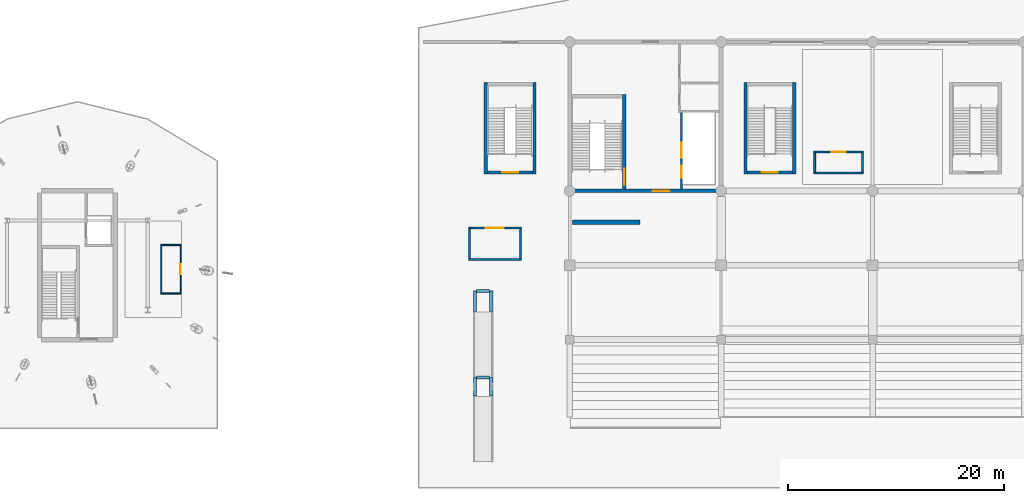
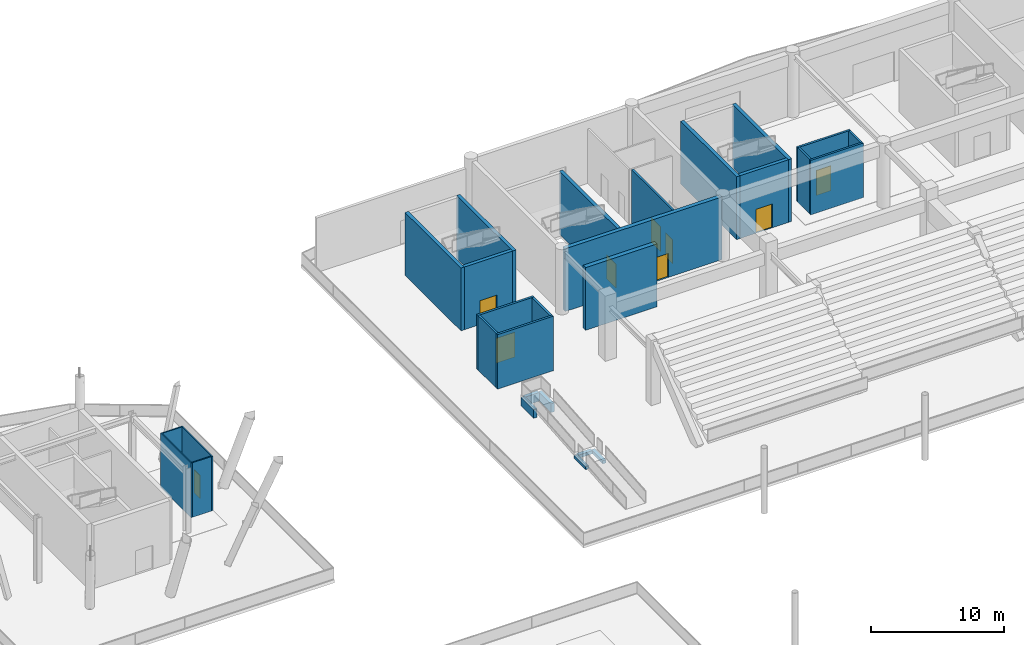
# One storey, part 48 of 73: 28 walls, 9 doors, 9 openings.
"""IFC4 building model written with IfcOpenShell, lengths in metres."""

from ifc_helpers import new_model, si_unit, direction, frame, frame_2d, origin, place, context, subcontext, project, spatial, rectangle, extrude, material, layer, layer_set, type_object, element, fill, save


model = new_model("IFC4")

# Units and contexts
model_context = context("Model", 3, precision=1e-05, world=origin(), true_north=direction((0.0, 1.0)))
body_context = subcontext(model_context, "Body", "Model", "MODEL_VIEW")
ifc_project = project(units=[si_unit("LENGTHUNIT", "METRE"), si_unit("AREAUNIT", "SQUARE_METRE"), si_unit("VOLUMEUNIT", "CUBIC_METRE"), si_unit("PLANEANGLEUNIT", "RADIAN"), si_unit("MASSUNIT", "GRAM", prefix="KILO")], contexts=[model_context])

# Site, building, storey
site_placement = place(None, origin())
site = spatial("IfcSite", under=ifc_project, at=site_placement, CompositionType="ELEMENT")
building_placement = place(site_placement, origin())
building = spatial("IfcBuilding", under=site, at=building_placement, Name="Linyun Crest Stadium", CompositionType="ELEMENT")
storey_placement = place(building_placement, origin())
storey = spatial("IfcBuildingStorey", under=building, at=storey_placement, Name="L01", CompositionType="ELEMENT", Elevation=0.0)

# Wall, opening, door
ifc_material_1 = material(Name="Concrete C50", Category="concrete")
ifc_layer_1 = layer(ifc_material_1, 0.35009765625)
ifc_layer_set_1 = layer_set([ifc_layer_1], Name="Concrete C50")
wall_type_1 = type_object("IfcWallType", Name="CW01", PredefinedType="SHEAR", material=ifc_layer_set_1)
wall_1_placement = place(storey_placement, frame((-27.824951171875, 91.5, 0.0), z_axis=(0.0, 0.0, 1.0), x_axis=(1.0, 0.0, 0.0)))
wall_1 = element("IfcWall", 1, at=wall_1_placement, inside=storey, type_object=wall_type_1, Name="Core shear wall CW01 CORE-N1 L01.3", PredefinedType="SHEAR", context=body_context, shape_type="SweptSolid", body=[
    extrude(rectangle(XDim=13.64990234375, YDim=0.35009765625, at=frame_2d((6.824951171875, 0.0))), origin(), (0.0, 0.0, 1.0), 5.780029296875),
])
opening_1_placement = place(wall_1_placement, frame((7.507080078125, 0.0, 0.0)))
opening_1 = element("IfcOpeningElement", 2, at=opening_1_placement, cuts=wall_1, Name="Opening D-L01-262", PredefinedType="OPENING", context=body_context, shape_type="SweptSolid", body=[
    extrude(rectangle(XDim=1.5, YDim=2.199951171875, at=frame_2d((0.75, 1.10009765625))), frame((0.0, 0.18505859375, 0.0), z_axis=(0.0, -1.0, 0.0), x_axis=(1.0, 0.0, 0.0)), (0.0, 0.0, 1.0), 0.3701171875),
])
ifc_material_2 = material(Name="Galvanized steel Class A fire door", Category="steel")
ifc_layer_2 = layer(ifc_material_2, 0.054931640625)
ifc_layer_set_2 = layer_set([ifc_layer_2], Name="Galvanized steel Class A fire door")
door_type_1 = type_object("IfcDoorType", Name="FD01", OperationType="NOTDEFINED", PredefinedType="DOOR", material=ifc_layer_set_2)
door_1_placement = place(opening_1_placement, origin())
door_1 = element("IfcDoor", 3, at=door_1_placement, inside=storey, type_object=door_type_1, Name="Door D-L01-262", OperationType="SINGLE_SWING_RIGHT", OverallHeight=2.199951171875, OverallWidth=1.5, PredefinedType="DOOR", context=body_context, shape_type="SweptSolid", body=[
    extrude(rectangle(XDim=1.5, YDim=2.199951171875, at=frame_2d((0.75, 1.10009765625))), frame((0.0, 0.02490234375, 0.0), z_axis=(0.0, -1.0, 0.0), x_axis=(1.0, 0.0, 0.0)), (0.0, 0.0, 1.0), 0.050048828125),
])
fill(opening_1, door_1)

# Wall, openings, doors
ifc_material_3 = material(Name="Autoclaved aerated concrete block fire partition", Category="concrete")
ifc_layer_3 = layer(ifc_material_3, 0.179931640625)
ifc_layer_set_3 = layer_set([ifc_layer_3], Name="Autoclaved aerated concrete block fire partition")
wall_type_2 = type_object("IfcWallType", Name="PW12", PredefinedType="PARTITIONING", material=ifc_layer_set_3)
wall_2_placement = place(storey_placement, frame((-17.64990234375, 91.675048828125, 0.0), z_axis=(0.0, 0.0, 1.0), x_axis=(0.0, 1.0, 0.0)))
wall_2 = element("IfcWall", 4, at=wall_2_placement, inside=storey, type_object=wall_type_2, Name="Partition PW12 L01 95", PredefinedType="PARTITIONING", context=body_context, shape_type="SweptSolid", body=[
    extrude(rectangle(XDim=7.10498046875, YDim=0.179931640625, at=frame_2d((3.552490234375, 0.0))), origin(), (0.0, 0.0, 1.0), 5.02001953125),
])
opening_2_placement = place(wall_2_placement, frame((1.02490234375, 0.0, 0.0)))
opening_2 = element("IfcOpeningElement", 5, at=opening_2_placement, cuts=wall_2, Name="Opening LD087", PredefinedType="OPENING", context=body_context, shape_type="SweptSolid", body=[
    extrude(rectangle(XDim=1.10009765625, YDim=2.199951171875, at=frame_2d((0.550048828125, 1.10009765625))), frame((0.0, 0.099853515625, 0.0), z_axis=(0.0, -1.0, 0.0), x_axis=(1.0, 0.0, 0.0)), (0.0, 0.0, 1.0), 0.199951171875),
])
opening_3_placement = place(wall_2_placement, frame((2.875, 0.0, 0.0)))
opening_3 = element("IfcOpeningElement", 6, at=opening_3_placement, cuts=wall_2, Name="Opening LD088", PredefinedType="OPENING", context=body_context, shape_type="SweptSolid", body=[
    extrude(rectangle(XDim=1.39990234375, YDim=2.300048828125, at=frame_2d((0.699951171875, 1.14990234375))), frame((0.0, 0.099853515625, 0.0), z_axis=(0.0, -1.0, 0.0), x_axis=(1.0, 0.0, 0.0)), (0.0, 0.0, 1.0), 0.199951171875),
])
ifc_material_4 = material(Name="Brushed stainless sliding lift door")
ifc_layer_4 = layer(ifc_material_4, 0.050048828125)
ifc_layer_set_4 = layer_set([ifc_layer_4], Name="Brushed stainless sliding lift door")
door_type_2 = type_object("IfcDoorType", Name="LD01", OperationType="NOTDEFINED", PredefinedType="DOOR", material=ifc_layer_set_4)
door_2_placement = place(opening_2_placement, origin())
door_2 = element("IfcDoor", 7, at=door_2_placement, inside=storey, type_object=door_type_2, Name="Lift landing door LD087", OperationType="DOUBLE_DOOR_SLIDING", OverallHeight=2.199951171875, OverallWidth=1.10009765625, PredefinedType="DOOR", context=body_context, shape_type="SweptSolid", body=[
    extrude(rectangle(XDim=1.10009765625, YDim=2.199951171875, at=frame_2d((0.550048828125, 1.10009765625))), frame((0.0, 0.02490234375, 0.0), z_axis=(0.0, -1.0, 0.0), x_axis=(1.0, 0.0, 0.0)), (0.0, 0.0, 1.0), 0.050048828125),
])
fill(opening_2, door_2)
ifc_material_5 = material(Name="Heavy-duty stainless sliding door")
ifc_layer_5 = layer(ifc_material_5, 0.054931640625)
ifc_layer_set_5 = layer_set([ifc_layer_5], Name="Heavy-duty stainless sliding door")
door_type_3 = type_object("IfcDoorType", Name="LD03", OperationType="NOTDEFINED", PredefinedType="DOOR", material=ifc_layer_set_5)
door_3_placement = place(opening_3_placement, origin())
door_3 = element("IfcDoor", 8, at=door_3_placement, inside=storey, type_object=door_type_3, Name="Lift landing door LD088", OperationType="DOUBLE_DOOR_SLIDING", OverallHeight=2.300048828125, OverallWidth=1.39990234375, PredefinedType="DOOR", context=body_context, shape_type="SweptSolid", body=[
    extrude(rectangle(XDim=1.39990234375, YDim=2.300048828125, at=frame_2d((0.699951171875, 1.14990234375))), frame((0.0, 0.02490234375, 0.0), z_axis=(0.0, -1.0, 0.0), x_axis=(1.0, 0.0, 0.0)), (0.0, 0.0, 1.0), 0.050048828125),
])
fill(opening_3, door_3)

# Wall, opening, door
ifc_material_6 = material(Name="Lightweight demountable office partition")
ifc_layer_6 = layer(ifc_material_6, 0.110107421875)
ifc_layer_set_6 = layer_set([ifc_layer_6], Name="Lightweight demountable office partition")
wall_type_3 = type_object("IfcWallType", Name="PW18", PredefinedType="PARTITIONING", material=ifc_layer_set_6)
wall_3_placement = place(storey_placement, frame((-63.9560546875, 86.550048828125, 0.0), z_axis=(0.0, 0.0, 1.0), x_axis=(0.0, -1.0, 0.0)))
wall_3 = element("IfcWall", 9, at=wall_3_placement, inside=storey, type_object=wall_type_3, Name="Partition PW18 L01 267", PredefinedType="PARTITIONING", context=body_context, shape_type="SweptSolid", body=[
    extrude(rectangle(XDim=4.60009765625, YDim=0.110107421875, at=frame_2d((2.300048828125, 0.0))), origin(), (0.0, 0.0, 1.0), 5.02001953125),
])
opening_4_placement = place(wall_3_placement, frame((1.85009765625, 0.0, 0.0)))
opening_4 = element("IfcOpeningElement", 10, at=opening_4_placement, cuts=wall_3, Name="Opening D-L01-530", PredefinedType="OPENING", context=body_context, shape_type="SweptSolid", body=[
    extrude(rectangle(XDim=0.89990234375, YDim=2.14990234375, at=frame_2d((0.449951171875, 1.074951171875))), frame((0.0, 0.06494140625, 0.0), z_axis=(0.0, -1.0, 0.0), x_axis=(1.0, 0.0, 0.0)), (0.0, 0.0, 1.0), 0.130126953125),
])
ifc_material_7 = material(Name="Acoustic glazed booth door")
ifc_layer_7 = layer(ifc_material_7, 0.050048828125)
ifc_layer_set_7 = layer_set([ifc_layer_7], Name="Acoustic glazed booth door")
door_type_4 = type_object("IfcDoorType", Name="ID11", OperationType="NOTDEFINED", PredefinedType="DOOR", material=ifc_layer_set_7)
door_4_placement = place(opening_4_placement, origin())
door_4 = element("IfcDoor", 11, at=door_4_placement, inside=storey, type_object=door_type_4, Name="Door D-L01-530", OperationType="SINGLE_SWING_RIGHT", OverallHeight=2.14990234375, OverallWidth=0.89990234375, PredefinedType="DOOR", context=body_context, shape_type="SweptSolid", body=[
    extrude(rectangle(XDim=0.89990234375, YDim=2.14990234375, at=frame_2d((0.449951171875, 1.074951171875))), frame((0.0, 0.02490234375, 0.0), z_axis=(0.0, -1.0, 0.0), x_axis=(1.0, 0.0, 0.0)), (0.0, 0.0, 1.0), 0.050048828125),
])
fill(opening_4, door_4)

# Walls
wall_4_placement = place(storey_placement, frame((-65.756103515625, 81.949951171875, 0.0), z_axis=(0.0, 0.0, 1.0), x_axis=(0.0, 1.0, 0.0)))
element("IfcWall", 12, at=wall_4_placement, inside=storey, type_object=wall_type_3, Name="Enclosure partition PW18 L01 517", PredefinedType="PARTITIONING", context=body_context, shape_type="SweptSolid", body=[
    extrude(rectangle(XDim=4.60009765625, YDim=0.110107421875, at=frame_2d((2.300048828125, 0.0))), origin(), (0.0, 0.0, 1.0), 5.02001953125),
])
for number, where, z_axis, x_axis, name in (
    (13, (-65.700927734375, 82.0048828125, 0.0), (0.0, 0.0, 1.0), (1.0, 0.0, 0.0), "Enclosure partition PW18 L01 518"),
    (14, (-65.700927734375, 86.4951171875, 0.0), (0.0, 0.0, 1.0), (1.0, 0.0, 0.0), "Enclosure partition PW18 L01 519"),
):
    element("IfcWall", number, at=place(storey_placement, frame(where, z_axis=z_axis, x_axis=x_axis)), inside=storey, type_object=wall_type_3, Name=name, PredefinedType="PARTITIONING", context=body_context, shape_type="SweptSolid", body=[
        extrude(rectangle(XDim=1.68994140625, YDim=0.110107421875, at=frame_2d((0.844970703125, 0.0))), origin(), (0.0, 0.0, 1.0), 5.02001953125),
    ])

# Wall, opening, door
ifc_material_8 = material(Name="Concourse concession fire-rated masonry wall", Category="masonry")
ifc_layer_8 = layer(ifc_material_8, 0.175048828125)
ifc_layer_set_8 = layer_set([ifc_layer_8], Name="Concourse concession fire-rated masonry wall")
wall_type_4 = type_object("IfcWallType", Name="PW24", PredefinedType="PARTITIONING", material=ifc_layer_set_8)
wall_5_placement = place(storey_placement, frame((-5.448974609375, 95.091064453125, 0.0), z_axis=(0.0, 0.0, 1.0), x_axis=(1.0, 0.0, 0.0)))
wall_5 = element("IfcWall", 15, at=wall_5_placement, inside=storey, type_object=wall_type_4, Name="Partition PW24 L01 172", PredefinedType="PARTITIONING", context=body_context, shape_type="SweptSolid", body=[
    extrude(rectangle(XDim=4.599853515625, YDim=0.175048828125, at=frame_2d((2.2998046875, 0.0))), origin(), (0.0, 0.0, 1.0), 5.02001953125),
])
opening_5_placement = place(wall_5_placement, frame((1.64990234375, 0.0, 0.0)))
opening_5 = element("IfcOpeningElement", 16, at=opening_5_placement, cuts=wall_5, Name="Opening D-L01-435", PredefinedType="OPENING", context=body_context, shape_type="SweptSolid", body=[
    extrude(rectangle(XDim=1.300048828125, YDim=2.300048828125, at=frame_2d((0.64990234375, 1.14990234375))), frame((0.0, 0.097412109375, 0.0), z_axis=(0.0, -1.0, 0.0), x_axis=(1.0, 0.0, 0.0)), (0.0, 0.0, 1.0), 0.195068359375),
])
ifc_material_9 = material(Name="High-STC acoustic steel studio door", Category="steel")
ifc_layer_9 = layer(ifc_material_9, 0.06494140625)
ifc_layer_set_9 = layer_set([ifc_layer_9], Name="High-STC acoustic steel studio door")
door_type_5 = type_object("IfcDoorType", Name="ID08", OperationType="NOTDEFINED", PredefinedType="DOOR", material=ifc_layer_set_9)
door_5_placement = place(opening_5_placement, origin())
door_5 = element("IfcDoor", 17, at=door_5_placement, inside=storey, type_object=door_type_5, Name="Door D-L01-435", OperationType="SINGLE_SWING_LEFT", OverallHeight=2.300048828125, OverallWidth=1.300048828125, PredefinedType="DOOR", context=body_context, shape_type="SweptSolid", body=[
    extrude(rectangle(XDim=1.300048828125, YDim=2.300048828125, at=frame_2d((0.64990234375, 1.14990234375))), frame((0.0, 0.02490234375, 0.0), z_axis=(0.0, -1.0, 0.0), x_axis=(1.0, 0.0, 0.0)), (0.0, 0.0, 1.0), 0.050048828125),
])
fill(opening_5, door_5)

# Walls
wall_6_placement = place(storey_placement, frame((-5.448974609375, 93.15087890625, 0.0), z_axis=(0.0, 0.0, 1.0), x_axis=(1.0, 0.0, 0.0)))
element("IfcWall", 18, at=wall_6_placement, inside=storey, type_object=wall_type_4, Name="Enclosure partition PW24 L01 232", PredefinedType="PARTITIONING", context=body_context, shape_type="SweptSolid", body=[
    extrude(rectangle(XDim=4.599853515625, YDim=0.175048828125, at=frame_2d((2.2998046875, 0.0))), origin(), (0.0, 0.0, 1.0), 5.02001953125),
])
for number, where, z_axis, x_axis, name in (
    (19, (-5.361083984375, 93.239013671875, 0.0), (0.0, 0.0, 1.0), (0.0, 1.0, 0.0), "Enclosure partition PW24 L01 233"),
    (20, (-0.93701171875, 93.239013671875, 0.0), (0.0, 0.0, 1.0), (0.0, 1.0, 0.0), "Enclosure partition PW24 L01 234"),
):
    element("IfcWall", number, at=place(storey_placement, frame(where, z_axis=z_axis, x_axis=x_axis)), inside=storey, type_object=wall_type_4, Name=name, PredefinedType="PARTITIONING", context=body_context, shape_type="SweptSolid", body=[
        extrude(rectangle(XDim=1.763916015625, YDim=0.175048828125, at=frame_2d((0.8818359375, 0.0))), origin(), (0.0, 0.0, 1.0), 5.02001953125),
    ])

# Wall, opening, door
ifc_material_10 = material(Name="Ticketing hall security partition")
ifc_layer_10 = layer(ifc_material_10, 0.18994140625)
ifc_layer_set_10 = layer_set([ifc_layer_10], Name="Ticketing hall security partition")
wall_type_5 = type_object("IfcWallType", Name="PW25", PredefinedType="PARTITIONING", material=ifc_layer_set_10)
wall_7_placement = place(storey_placement, frame((-37.35888671875, 88.053955078125, 0.0), z_axis=(0.0, 0.0, 1.0), x_axis=(1.0, 0.0, 0.0)))
wall_7 = element("IfcWall", 21, at=wall_7_placement, inside=storey, type_object=wall_type_5, Name="Partition PW25 L01 173", PredefinedType="PARTITIONING", context=body_context, shape_type="SweptSolid", body=[
    extrude(rectangle(XDim=4.889892578125, YDim=0.18994140625, at=frame_2d((2.44482421875, 0.0))), origin(), (0.0, 0.0, 1.0), 5.02001953125),
])
opening_6_placement = place(wall_7_placement, frame((1.6201171875, 0.0, 0.0)))
opening_6 = element("IfcOpeningElement", 22, at=opening_6_placement, cuts=wall_7, Name="Opening D-L01-436", PredefinedType="OPENING", context=body_context, shape_type="SweptSolid", body=[
    extrude(rectangle(XDim=1.64990234375, YDim=2.300048828125, at=frame_2d((0.824951171875, 1.14990234375))), frame((0.0, 0.10498046875, 0.0), z_axis=(0.0, -1.0, 0.0), x_axis=(1.0, 0.0, 0.0)), (0.0, 0.0, 1.0), 0.2099609375),
])
ifc_material_11 = material(Name="Double-leaf acoustic timber door", Category="wood")
ifc_layer_11 = layer(ifc_material_11, 0.050048828125)
ifc_layer_set_11 = layer_set([ifc_layer_11], Name="Double-leaf acoustic timber door")
door_type_6 = type_object("IfcDoorType", Name="ID09", OperationType="NOTDEFINED", PredefinedType="DOOR", material=ifc_layer_set_11)
door_6_placement = place(opening_6_placement, origin())
door_6 = element("IfcDoor", 23, at=door_6_placement, inside=storey, type_object=door_type_6, Name="Door D-L01-436", OperationType="SINGLE_SWING_RIGHT", OverallHeight=2.300048828125, OverallWidth=1.64990234375, PredefinedType="DOOR", context=body_context, shape_type="SweptSolid", body=[
    extrude(rectangle(XDim=1.64990234375, YDim=2.300048828125, at=frame_2d((0.824951171875, 1.14990234375))), frame((0.0, 0.02490234375, 0.0), z_axis=(0.0, -1.0, 0.0), x_axis=(1.0, 0.0, 0.0)), (0.0, 0.0, 1.0), 0.050048828125),
])
fill(opening_6, door_6)

# Walls
wall_8_placement = place(storey_placement, frame((-37.35888671875, 85.134033203125, 0.0), z_axis=(0.0, 0.0, 1.0), x_axis=(1.0, 0.0, 0.0)))
element("IfcWall", 24, at=wall_8_placement, inside=storey, type_object=wall_type_5, Name="Enclosure partition PW25 L01 235", PredefinedType="PARTITIONING", context=body_context, shape_type="SweptSolid", body=[
    extrude(rectangle(XDim=4.889892578125, YDim=0.18994140625, at=frame_2d((2.44482421875, 0.0))), origin(), (0.0, 0.0, 1.0), 5.02001953125),
])
for number, where, z_axis, x_axis, name in (
    (25, (-37.263916015625, 85.22900390625, 0.0), (0.0, 0.0, 1.0), (0.0, 1.0, 0.0), "Enclosure partition PW25 L01 236"),
    (26, (-32.56396484375, 85.22900390625, 0.0), (0.0, 0.0, 1.0), (0.0, 1.0, 0.0), "Enclosure partition PW25 L01 237"),
):
    element("IfcWall", number, at=place(storey_placement, frame(where, z_axis=z_axis, x_axis=x_axis)), inside=storey, type_object=wall_type_5, Name=name, PredefinedType="PARTITIONING", context=body_context, shape_type="SweptSolid", body=[
        extrude(rectangle(XDim=2.72998046875, YDim=0.18994140625, at=frame_2d((1.364990234375, 0.0))), origin(), (0.0, 0.0, 1.0), 5.02001953125),
    ])

# Wall, opening, door
ifc_material_12 = material(Name="Concrete C50", Category="concrete")
ifc_layer_12 = layer(ifc_material_12, 0.300048828125)
ifc_layer_set_12 = layer_set([ifc_layer_12], Name="Concrete C50")
wall_type_6 = type_object("IfcWallType", Name="SW01", PredefinedType="SHEAR", material=ifc_layer_set_12)
wall_9_placement = place(storey_placement, frame((-22.949951171875, 91.675048828125, 0.0), z_axis=(0.0, 0.0, 1.0), x_axis=(0.0, 1.0, 0.0)))
wall_9 = element("IfcWall", 27, at=wall_9_placement, inside=storey, type_object=wall_type_6, Name="Core stair east bearing wall SW01 7 L01", PredefinedType="SHEAR", context=body_context, shape_type="SweptSolid", body=[
    extrude(rectangle(XDim=8.724853515625, YDim=0.300048828125, at=frame_2d((4.3623046875, 0.0))), origin(), (0.0, 0.0, 1.0), 5.780029296875),
])
opening_7_placement = place(wall_9_placement, frame((0.39501953125, 0.0, 0.0)))
opening_7 = element("IfcOpeningElement", 28, at=opening_7_placement, cuts=wall_9, Name="Opening D-L01-263", PredefinedType="OPENING", context=body_context, shape_type="SweptSolid", body=[
    extrude(rectangle(XDim=1.449951171875, YDim=2.199951171875, at=frame_2d((0.72509765625, 1.10009765625))), frame((0.0, 0.159912109375, 0.0), z_axis=(0.0, -1.0, 0.0), x_axis=(1.0, 0.0, 0.0)), (0.0, 0.0, 1.0), 0.320068359375),
])
ifc_material_13 = material(Name="Galvanized steel Class A fire door", Category="steel")
ifc_layer_13 = layer(ifc_material_13, 0.054931640625)
ifc_layer_set_13 = layer_set([ifc_layer_13], Name="Galvanized steel Class A fire door")
door_type_7 = type_object("IfcDoorType", Name="FD02", OperationType="NOTDEFINED", PredefinedType="DOOR", material=ifc_layer_set_13)
door_7_placement = place(opening_7_placement, origin())
door_7 = element("IfcDoor", 29, at=door_7_placement, inside=storey, type_object=door_type_7, Name="Door D-L01-263", OperationType="SINGLE_SWING_LEFT", OverallHeight=2.199951171875, OverallWidth=1.449951171875, PredefinedType="DOOR", context=body_context, shape_type="SweptSolid", body=[
    extrude(rectangle(XDim=1.449951171875, YDim=2.199951171875, at=frame_2d((0.72509765625, 1.10009765625))), frame((0.0, 0.02490234375, 0.0), z_axis=(0.0, -1.0, 0.0), x_axis=(1.0, 0.0, 0.0)), (0.0, 0.0, 1.0), 0.050048828125),
])
fill(opening_7, door_7)

wall_10_placement = place(storey_placement, frame((-35.60009765625, 93.199951171875, 0.0), z_axis=(0.0, 0.0, 1.0), x_axis=(1.0, 0.0, 0.0)))
wall_10 = element("IfcWall", 30, at=wall_10_placement, inside=storey, type_object=wall_type_6, Name="Stair shaft wall SW01 STR-23 L01 S", PredefinedType="SHEAR", context=body_context, shape_type="SweptSolid", body=[
    extrude(rectangle(XDim=4.2001953125, YDim=0.300048828125, at=frame_2d((2.10009765625, 0.0))), origin(), (0.0, 0.0, 1.0), 5.780029296875),
])
opening_8_placement = place(wall_10_placement, frame((1.375, 0.0, 0.0)))
opening_8 = element("IfcOpeningElement", 31, at=opening_8_placement, cuts=wall_10, Name="Opening D-L01-595", PredefinedType="OPENING", context=body_context, shape_type="SweptSolid", body=[
    extrude(rectangle(XDim=1.449951171875, YDim=2.199951171875, at=frame_2d((0.72509765625, 1.10009765625))), frame((0.0, 0.159912109375, 0.0), z_axis=(0.0, -1.0, 0.0), x_axis=(1.0, 0.0, 0.0)), (0.0, 0.0, 1.0), 0.320068359375),
])
door_8_placement = place(opening_8_placement, origin())
door_8 = element("IfcDoor", 32, at=door_8_placement, inside=storey, type_object=door_type_7, Name="Door D-L01-595", OperationType="SINGLE_SWING_LEFT", OverallHeight=2.199951171875, OverallWidth=1.449951171875, PredefinedType="DOOR", context=body_context, shape_type="SweptSolid", body=[
    extrude(rectangle(XDim=1.449951171875, YDim=2.199951171875, at=frame_2d((0.72509765625, 1.10009765625))), frame((0.0, 0.02490234375, 0.0), z_axis=(0.0, -1.0, 0.0), x_axis=(1.0, 0.0, 0.0)), (0.0, 0.0, 1.0), 0.050048828125),
])
fill(opening_8, door_8)

# Walls
for number, where, z_axis, x_axis, name in (
    (33, (-35.75, 93.050048828125, 0.0), (0.0, 0.0, 1.0), (0.0, 1.0, 0.0), "Stair shaft wall SW01 STR-23 L01 W"),
    (34, (-31.25, 93.050048828125, 0.0), (0.0, 0.0, 1.0), (0.0, 1.0, 0.0), "Stair shaft wall SW01 STR-23 L01 E"),
):
    element("IfcWall", number, at=place(storey_placement, frame(where, z_axis=z_axis, x_axis=x_axis)), inside=storey, type_object=wall_type_6, Name=name, PredefinedType="SHEAR", context=body_context, shape_type="SweptSolid", body=[
        extrude(rectangle(XDim=8.449951171875, YDim=0.300048828125, at=frame_2d((4.22509765625, 0.0))), origin(), (0.0, 0.0, 1.0), 5.780029296875),
    ])

# Wall, opening, door
wall_11_placement = place(storey_placement, frame((-11.60009765625, 93.199951171875, 0.0), z_axis=(0.0, 0.0, 1.0), x_axis=(1.0, 0.0, 0.0)))
wall_11 = element("IfcWall", 35, at=wall_11_placement, inside=storey, type_object=wall_type_6, Name="Stair shaft wall SW01 STR-24 L01 S", PredefinedType="SHEAR", context=body_context, shape_type="SweptSolid", body=[
    extrude(rectangle(XDim=4.2001953125, YDim=0.300048828125, at=frame_2d((2.10009765625, 0.0))), origin(), (0.0, 0.0, 1.0), 5.780029296875),
])
opening_9_placement = place(wall_11_placement, frame((1.375, 0.0, 0.0)))
opening_9 = element("IfcOpeningElement", 36, at=opening_9_placement, cuts=wall_11, Name="Opening D-L01-600", PredefinedType="OPENING", context=body_context, shape_type="SweptSolid", body=[
    extrude(rectangle(XDim=1.449951171875, YDim=2.199951171875, at=frame_2d((0.72509765625, 1.10009765625))), frame((0.0, 0.159912109375, 0.0), z_axis=(0.0, -1.0, 0.0), x_axis=(1.0, 0.0, 0.0)), (0.0, 0.0, 1.0), 0.320068359375),
])
door_9_placement = place(opening_9_placement, origin())
door_9 = element("IfcDoor", 37, at=door_9_placement, inside=storey, type_object=door_type_7, Name="Door D-L01-600", OperationType="SINGLE_SWING_RIGHT", OverallHeight=2.199951171875, OverallWidth=1.449951171875, PredefinedType="DOOR", context=body_context, shape_type="SweptSolid", body=[
    extrude(rectangle(XDim=1.449951171875, YDim=2.199951171875, at=frame_2d((0.72509765625, 1.10009765625))), frame((0.0, 0.02490234375, 0.0), z_axis=(0.0, -1.0, 0.0), x_axis=(1.0, 0.0, 0.0)), (0.0, 0.0, 1.0), 0.050048828125),
])
fill(opening_9, door_9)

# Walls
for number, where, z_axis, x_axis, name in (
    (38, (-11.75, 93.050048828125, 0.0), (0.0, 0.0, 1.0), (0.0, 1.0, 0.0), "Stair shaft wall SW01 STR-24 L01 W"),
    (39, (-7.25, 93.050048828125, 0.0), (0.0, 0.0, 1.0), (0.0, 1.0, 0.0), "Stair shaft wall SW01 STR-24 L01 E"),
):
    element("IfcWall", number, at=place(storey_placement, frame(where, z_axis=z_axis, x_axis=x_axis)), inside=storey, type_object=wall_type_6, Name=name, PredefinedType="SHEAR", context=body_context, shape_type="SweptSolid", body=[
        extrude(rectangle(XDim=8.449951171875, YDim=0.300048828125, at=frame_2d((4.22509765625, 0.0))), origin(), (0.0, 0.0, 1.0), 5.780029296875),
    ])
for number, where, z_axis, x_axis, name in (
    (40, (-36.75, 72.550048828125, 0.0), (0.0, 0.0, 1.0), (0.0, 1.0, 0.0), "Ramp plinth wall SW01 RMP-07.1W"),
    (41, (-35.25, 72.550048828125, 0.0), (0.0, 0.0, 1.0), (0.0, 1.0, 0.0), "Ramp plinth wall SW01 RMP-07.1E"),
):
    element("IfcWall", number, at=place(storey_placement, frame(where, z_axis=z_axis, x_axis=x_axis)), inside=storey, type_object=wall_type_6, Name=name, PredefinedType="SHEAR", context=body_context, shape_type="SweptSolid", body=[
        extrude(rectangle(XDim=1.699951171875, YDim=0.300048828125, at=frame_2d((0.85009765625, 0.0))), origin(), (0.0, 0.0, 1.0), 0.300048828125),
    ])
wall_12_placement = place(storey_placement, frame((-36.60009765625, 74.25, 0.0), z_axis=(0.0, 0.0, 1.0), x_axis=(1.0, 0.0, 0.0)))
element("IfcWall", 42, at=wall_12_placement, inside=storey, type_object=wall_type_6, Name="Ramp plinth wall SW01 RMP-07.1N", PredefinedType="SHEAR", context=body_context, shape_type="SweptSolid", body=[
    extrude(rectangle(XDim=1.2001953125, YDim=0.300048828125, at=frame_2d((0.60009765625, 0.0))), origin(), (0.0, 0.0, 1.0), 0.300048828125),
])
for number, where, z_axis, x_axis, name in (
    (43, (-36.75, 80.35009765625, 0.0), (0.0, 0.0, 1.0), (0.0, 1.0, 0.0), "Ramp plinth wall SW01 RMP-07.2W"),
    (44, (-35.25, 80.35009765625, 0.0), (0.0, 0.0, 1.0), (0.0, 1.0, 0.0), "Ramp plinth wall SW01 RMP-07.2E"),
):
    element("IfcWall", number, at=place(storey_placement, frame(where, z_axis=z_axis, x_axis=x_axis)), inside=storey, type_object=wall_type_6, Name=name, PredefinedType="SHEAR", context=body_context, shape_type="SweptSolid", body=[
        extrude(rectangle(XDim=1.89990234375, YDim=0.300048828125, at=frame_2d((0.949951171875, 0.0))), origin(), (0.0, 0.0, 1.0), 0.800048828125),
    ])
wall_13_placement = place(storey_placement, frame((-36.60009765625, 82.25, 0.0), z_axis=(0.0, 0.0, 1.0), x_axis=(1.0, 0.0, 0.0)))
element("IfcWall", 45, at=wall_13_placement, inside=storey, type_object=wall_type_6, Name="Ramp plinth wall SW01 RMP-07.2N", PredefinedType="SHEAR", context=body_context, shape_type="SweptSolid", body=[
    extrude(rectangle(XDim=1.2001953125, YDim=0.300048828125, at=frame_2d((0.60009765625, 0.0))), origin(), (0.0, 0.0, 1.0), 0.800048828125),
])
ifc_material_14 = material(Name="Concrete C50", Category="concrete")
ifc_layer_14 = layer(ifc_material_14, 0.3798828125)
ifc_layer_set_14 = layer_set([ifc_layer_14], Name="Concrete C50")
wall_type_7 = type_object("IfcWallType", Name="SW02", PredefinedType="SHEAR", material=ifc_layer_set_14)
wall_14_placement = place(storey_placement, frame((-27.719970703125, 88.60009765625, 0.0), z_axis=(0.0, 0.0, 1.0), x_axis=(1.0, 0.0, 0.0)))
element("IfcWall", 46, at=wall_14_placement, inside=storey, type_object=wall_type_7, Name="Shear wall SW02 L01 318", PredefinedType="SHEAR", context=body_context, shape_type="SweptSolid", body=[
    extrude(rectangle(XDim=6.219970703125, YDim=0.3798828125, at=frame_2d((3.10986328125, 0.0))), origin(), (0.0, 0.0, 1.0), 5.780029296875),
])

save(model, "model.ifc")
